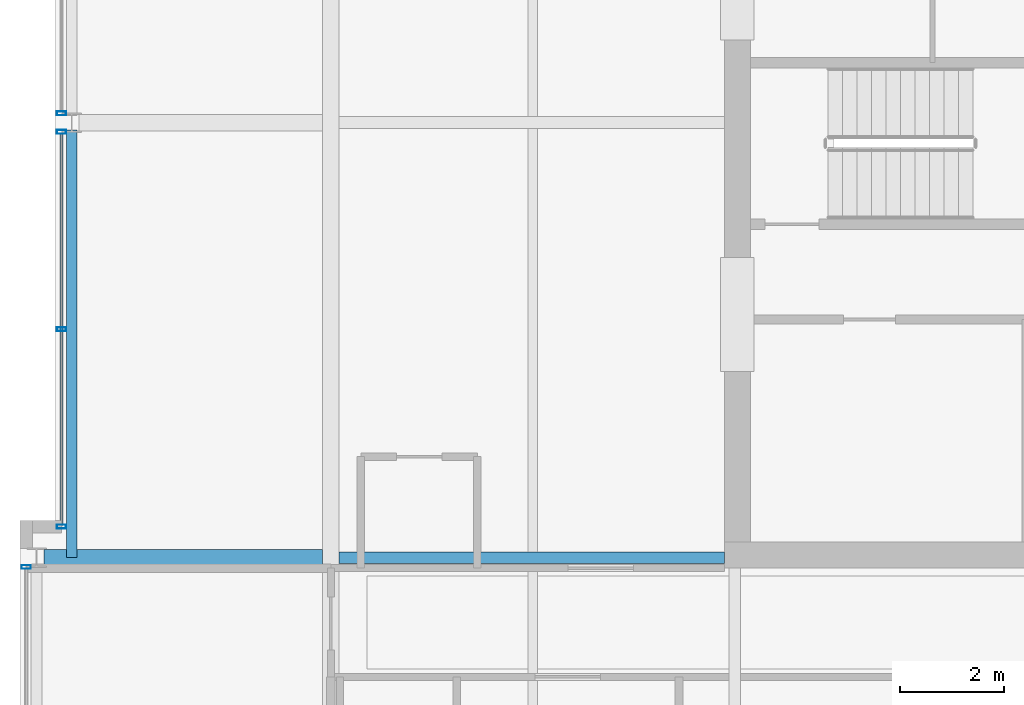
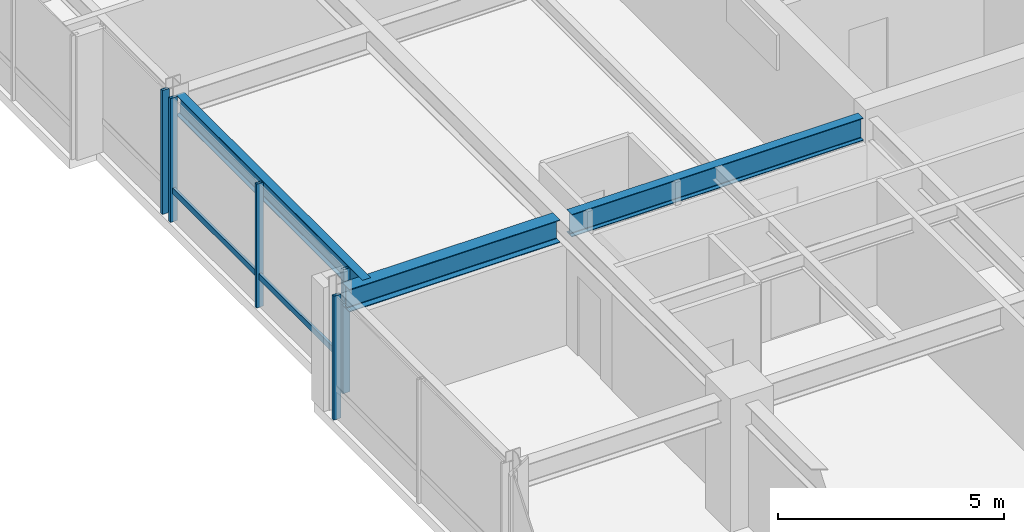
# One storey, part 10 of 32: 6 members, 3 beams, 3 elements without a shape of their own.
"""IFC4 building model written with IfcOpenShell, lengths in metres."""

from ifc_helpers import new_model, si_unit, direction, frame, origin, origin_2d, place, context, subcontext, project, spatial, hollow_rectangle, i_section, extrude, material, layer, layer_set, material_profile, profile_set, type_object, element, aggregate, save


model = new_model("IFC4")

# Units and contexts
model_context = context("Model", 3, precision=1e-05, world=origin(), true_north=direction((0.0, 1.0)))
body_context = subcontext(model_context, "Body", "Model", "MODEL_VIEW")
ifc_project = project(units=[si_unit("LENGTHUNIT", "METRE"), si_unit("AREAUNIT", "SQUARE_METRE"), si_unit("VOLUMEUNIT", "CUBIC_METRE"), si_unit("PLANEANGLEUNIT", "RADIAN"), si_unit("MASSUNIT", "GRAM", prefix="KILO")], contexts=[model_context])

# Site, building, storey
site_placement = place(None, origin())
site = spatial("IfcSite", under=ifc_project, at=site_placement, CompositionType="ELEMENT")
building_placement = place(site_placement, origin())
building = spatial("IfcBuilding", under=site, at=building_placement, Name="Drelvath Grand Hotel", CompositionType="ELEMENT")
storey_placement = place(building_placement, frame((0.0, 0.0, 237.5)))
storey = spatial("IfcBuildingStorey", under=building, at=storey_placement, Name="L62", CompositionType="ELEMENT", Elevation=237.5)

# Curtain wall, member
ifc_material_1 = material(Name="Platinum-Mist Anodised Aluminium Frame", Category="aluminium")
ifc_layer = layer(ifc_material_1, 0.199951171875)
ifc_layer_set = layer_set([ifc_layer], Name="Platinum-Mist Anodised Aluminium Frame")
curtain_wall_type = type_object("IfcCurtainWallType", Name="Stick Curtain Wall CW-05 Platinum Mist High-Rise", PredefinedType="NOTDEFINED", material=ifc_layer_set)
curtain_wall_1_placement = place(storey_placement, origin())
curtain_wall_1 = element("IfcCurtainWall", 1, at=curtain_wall_1_placement, inside=storey, type_object=curtain_wall_type, Name="L62 CW-05 Curtain Wall CW05-L62-WM1", PredefinedType="NOTDEFINED")
ifc_material_profile_1 = material_profile(ifc_material_1, hollow_rectangle(XDim=0.06494140625, YDim=0.159912109375, WallThickness=0.00390625, at=origin_2d()), Name="HSS160X65X4")
ifc_profile_set_1 = profile_set([ifc_material_profile_1], Name="Platinum-Mist Anodised Aluminium Frame")
member_type_1 = type_object("IfcMemberType", Name="Curtain Wall Horizontal Transom CW-05 HSS160X65X4", PredefinedType="USERDEFINED", material=ifc_profile_set_1)
member_1_placement = place(storey_placement, frame((-21.39990234375, 19.239990234375, 0.8349609375), z_axis=(0.0, 1.0, 0.0), x_axis=(-1.0, 0.0, 0.0)))
member_1 = element("IfcMember", 2, at=member_1_placement, type_object=member_type_1, Name="CW05-L62-WM1 Sill Transom", ObjectType="TRANSOM", PredefinedType="USERDEFINED", context=body_context, shape_type="SweptSolid", body=[
    extrude(hollow_rectangle(XDim=0.06494140625, YDim=0.159912109375, WallThickness=0.00390625, at=origin_2d()), origin(), (0.0, 0.0, 1.0), 7.541748046875),
])

curtain_wall_2_placement = place(storey_placement, origin())
curtain_wall_2 = element("IfcCurtainWall", 3, at=curtain_wall_2_placement, inside=storey, type_object=curtain_wall_type, Name="L62 CW-05 Curtain Wall CW05-L62-WS2", PredefinedType="NOTDEFINED")
ifc_material_profile_2 = material_profile(ifc_material_1, hollow_rectangle(XDim=0.074951171875, YDim=0.179931640625, WallThickness=0.0048828125, at=origin_2d()), Name="HSS180X75X5")
ifc_profile_set_2 = profile_set([ifc_material_profile_2], Name="Platinum-Mist Anodised Aluminium Frame")
member_type_2 = type_object("IfcMemberType", Name="Curtain Wall Vertical Mullion CW-05 HSS180X75X5", PredefinedType="MULLION", material=ifc_profile_set_2)
member_2_placement = place(storey_placement, frame((-22.080078125, 18.421875, 0.0), z_axis=(0.0, 0.0, 1.0), x_axis=(0.0, 1.0, 0.0)))
member_2 = element("IfcMember", 4, at=member_2_placement, type_object=member_type_2, Name="CW05-L62-WS2 Mullion 3", PredefinedType="MULLION", context=body_context, shape_type="SweptSolid", body=[
    extrude(hollow_rectangle(XDim=0.074951171875, YDim=0.179931640625, WallThickness=0.0048828125, at=origin_2d()), origin(), (0.0, 0.0, 1.0), 3.340087890625),
])
aggregate(curtain_wall_2, [member_2])

# Member
member_3_placement = place(storey_placement, frame((-21.39990234375, 19.199951171875, 0.0), z_axis=(0.0, 0.0, 1.0), x_axis=(0.0, 1.0, 0.0)))
member_3 = element("IfcMember", 5, at=member_3_placement, type_object=member_type_2, Name="CW05-L62-WM1 Mullion 1", PredefinedType="MULLION", context=body_context, shape_type="SweptSolid", body=[
    extrude(hollow_rectangle(XDim=0.074951171875, YDim=0.179931640625, WallThickness=0.0048828125, at=origin_2d()), origin(), (0.0, 0.0, 1.0), 3.340087890625),
])

member_4_placement = place(storey_placement, frame((-21.39990234375, 23.010986328125, 0.0), z_axis=(0.0, 0.0, 1.0), x_axis=(0.0, 1.0, 0.0)))
member_4 = element("IfcMember", 6, at=member_4_placement, type_object=member_type_2, Name="CW05-L62-WM1 Mullion 2", PredefinedType="MULLION", context=body_context, shape_type="SweptSolid", body=[
    extrude(hollow_rectangle(XDim=0.074951171875, YDim=0.179931640625, WallThickness=0.0048828125, at=origin_2d()), origin(), (0.0, 0.0, 1.0), 3.340087890625),
])

member_5_placement = place(storey_placement, frame((-21.39990234375, 26.82177734375, 0.0), z_axis=(0.0, 0.0, 1.0), x_axis=(0.0, 1.0, 0.0)))
member_5 = element("IfcMember", 7, at=member_5_placement, type_object=member_type_2, Name="CW05-L62-WM1 Mullion 3", PredefinedType="MULLION", context=body_context, shape_type="SweptSolid", body=[
    extrude(hollow_rectangle(XDim=0.074951171875, YDim=0.179931640625, WallThickness=0.0048828125, at=origin_2d()), origin(), (0.0, 0.0, 1.0), 3.340087890625),
])

aggregate(curtain_wall_1, [member_3, member_4, member_5, member_1])

# Curtain wall, member
curtain_wall_3_placement = place(storey_placement, origin())
curtain_wall_3 = element("IfcCurtainWall", 8, at=curtain_wall_3_placement, inside=storey, type_object=curtain_wall_type, Name="L62 CW-05 Curtain Wall CW05-L62-WM2", PredefinedType="NOTDEFINED")
member_6_placement = place(storey_placement, frame((-21.39990234375, 27.17822265625, 0.0), z_axis=(0.0, 0.0, 1.0), x_axis=(0.0, 1.0, 0.0)))
member_6 = element("IfcMember", 9, at=member_6_placement, type_object=member_type_2, Name="CW05-L62-WM2 Mullion 1", PredefinedType="MULLION", context=body_context, shape_type="SweptSolid", body=[
    extrude(hollow_rectangle(XDim=0.074951171875, YDim=0.179931640625, WallThickness=0.0048828125, at=origin_2d()), origin(), (0.0, 0.0, 1.0), 3.340087890625),
])
aggregate(curtain_wall_3, [member_6])

# Beams
ifc_material_2 = material(Name="Steel ASTM A992 Gr 50", Category="steel")
ifc_material_profile_3 = material_profile(ifc_material_2, i_section(OverallWidth=0.210205078125, OverallDepth=0.53662109375, WebThickness=0.010986328125, FlangeThickness=0.017333984375, FilletRadius=0.01806640625, at=origin_2d()), Name="W21X68")
ifc_profile_set_3 = profile_set([ifc_material_profile_3], Name="Steel ASTM A992 Gr 50")
beam_type_1 = type_object("IfcBeamType", Name="Perimeter Spandrel Beam W21X68", PredefinedType="SPANDREL", material=ifc_profile_set_3)
beam_1_placement = place(storey_placement, frame((-21.199951171875, 18.60009765625, 3.07177734375), z_axis=(0.0, 1.0, 0.0), x_axis=(-1.0, 0.0, 0.0)))
element("IfcBeam", 10, at=beam_1_placement, inside=storey, type_object=beam_type_1, Name="L62 Spandrel West Mid S", PredefinedType="SPANDREL", context=body_context, shape_type="SweptSolid", body=[
    extrude(i_section(OverallWidth=0.210205078125, OverallDepth=0.53662109375, WebThickness=0.010986328125, FlangeThickness=0.017333984375, FilletRadius=0.01806640625, at=origin_2d()), origin(), (0.0, 0.0, 1.0), 8.260009765625),
])
ifc_material_profile_4 = material_profile(ifc_material_2, i_section(OverallWidth=0.323974609375, OverallDepth=0.611083984375, WebThickness=0.0126953125, FlangeThickness=0.01904296875, FilletRadius=0.02197265625, at=origin_2d()), Name="W24X104")
ifc_profile_set_4 = profile_set([ifc_material_profile_4], Name="Steel ASTM A992 Gr 50")
beam_type_2 = type_object("IfcBeamType", Name="Primary Floor Girder W24X104", PredefinedType="BEAM", material=ifc_profile_set_4)
beam_2_placement = place(storey_placement, frame((-21.739990234375, 18.60009765625, 3.034423828125), z_axis=(1.0, 0.0, 0.0), x_axis=(0.0, 1.0, 0.0)))
element("IfcBeam", 11, at=beam_2_placement, inside=storey, type_object=beam_type_2, Name="L62 West Wing Girder D", PredefinedType="BEAM", context=body_context, shape_type="SweptSolid", body=[
    extrude(i_section(OverallWidth=0.323974609375, OverallDepth=0.611083984375, WebThickness=0.0126953125, FlangeThickness=0.01904296875, FilletRadius=0.02197265625, at=origin_2d()), origin(), (0.0, 0.0, 1.0), 5.3779296875),
])
ifc_material_profile_5 = material_profile(ifc_material_2, i_section(OverallWidth=0.228271484375, OverallDepth=0.607666015625, WebThickness=0.01123046875, FlangeThickness=0.017333984375, FilletRadius=0.02001953125, at=origin_2d()), Name="W24X76")
ifc_profile_set_5 = profile_set([ifc_material_profile_5], Name="Steel ASTM A992 Gr 50")
beam_type_3 = type_object("IfcBeamType", Name="Primary Floor Girder W24X76", PredefinedType="BEAM", material=ifc_profile_set_5)
beam_3_placement = place(storey_placement, frame((-16.0380859375, 18.60009765625, 3.0361328125), z_axis=(1.0, 0.0, 0.0), x_axis=(0.0, 1.0, 0.0)))
element("IfcBeam", 12, at=beam_3_placement, inside=storey, type_object=beam_type_3, Name="L62 West Core Tie D", PredefinedType="BEAM", context=body_context, shape_type="SweptSolid", body=[
    extrude(i_section(OverallWidth=0.228271484375, OverallDepth=0.607666015625, WebThickness=0.01123046875, FlangeThickness=0.017333984375, FilletRadius=0.02001953125, at=origin_2d()), origin(), (0.0, 0.0, 1.0), 7.43798828125),
])

save(model, "model.ifc")
